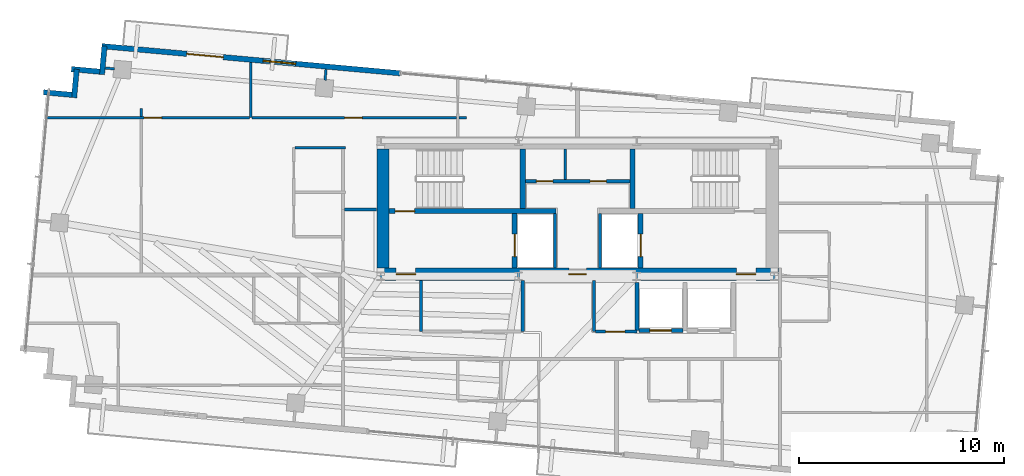
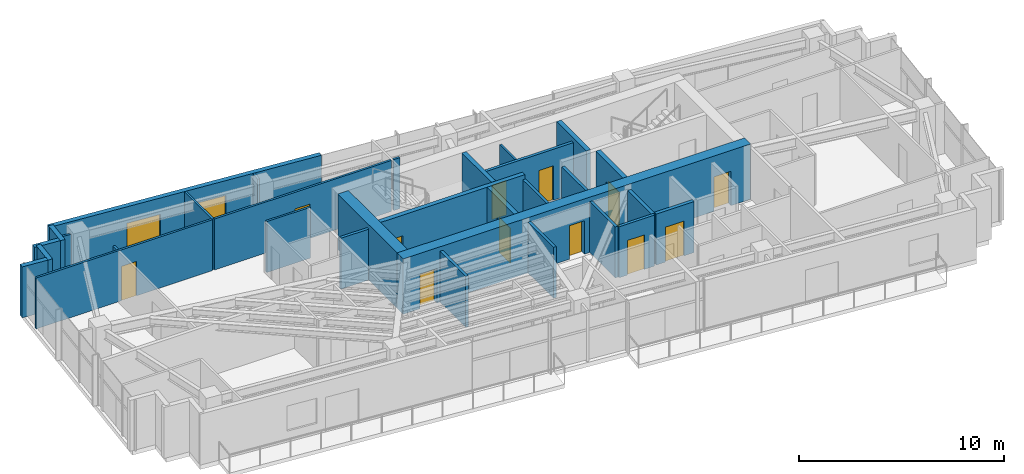
# One storey, part 17 of 22: 31 walls, 13 doors, 1 window, 14 openings.
"""IFC4 building model written with IfcOpenShell, lengths in metres."""

from ifc_helpers import new_model, si_unit, direction, frame, frame_2d, origin, place, context, subcontext, project, spatial, rectangle, extrude, source, transform, mapped, material, layer, layer_set, type_object, type_shapes, element, fill, save


model = new_model("IFC4")

# Units and contexts
model_context = context("Model", 3, precision=1e-05, world=origin(), true_north=direction((0.0, 1.0)))
body_context = subcontext(model_context, "Body", "Model", "MODEL_VIEW")
ifc_project = project(units=[si_unit("LENGTHUNIT", "METRE"), si_unit("AREAUNIT", "SQUARE_METRE"), si_unit("VOLUMEUNIT", "CUBIC_METRE"), si_unit("PLANEANGLEUNIT", "RADIAN"), si_unit("MASSUNIT", "GRAM", prefix="KILO")], contexts=[model_context])

# Site, building, storey
site_placement = place(None, origin())
site = spatial("IfcSite", under=ifc_project, at=site_placement, CompositionType="ELEMENT")
building_placement = place(site_placement, origin())
building = spatial("IfcBuilding", under=site, at=building_placement, Name="Astriad Promenade Condominiums", CompositionType="ELEMENT")
storey_placement = place(building_placement, frame((0.0, 0.0, 223.199951171875)))
storey = spatial("IfcBuildingStorey", under=building, at=storey_placement, Name="L64", CompositionType="ELEMENT", Elevation=223.199951171875)

# Wall, openings, doors
ifc_material_1 = material(Name="Concrete C50/60", Category="concrete")
ifc_layer_1 = layer(ifc_material_1, 0.60009765625)
ifc_layer_set_1 = layer_set([ifc_layer_1], Name="Concrete C50/60")
wall_type_1 = type_object("IfcWallType", Name="CW-SHEAR-600", PredefinedType="SHEAR", material=ifc_layer_set_1)
wall_1_placement = place(storey_placement, frame((26.199951171875, 17.5, 0.0), z_axis=(0.0, 0.0, 1.0), x_axis=(1.0, 0.0, 0.0)))
wall_1 = element("IfcWall", 1, at=wall_1_placement, inside=storey, type_object=wall_type_1, Name="CW-CORE-S-L64", PredefinedType="SHEAR", context=body_context, shape_type="SweptSolid", body=[
    extrude(rectangle(XDim=19.60009765625, YDim=0.60009765625, at=frame_2d((9.800048828125, 0.0))), origin(), (0.0, 0.0, 1.0), 3.300048828125),
])
opening_1_placement = place(wall_1_placement, frame((0.949951171875, 0.0, 0.0)))
opening_1 = element("IfcOpeningElement", 2, at=opening_1_placement, cuts=wall_1, Name="Opening FD90-ST-095", PredefinedType="OPENING", context=body_context, shape_type="SweptSolid", body=[
    extrude(rectangle(XDim=0.949951171875, YDim=2.06005859375, at=frame_2d((0.47509765625, 1.030029296875))), frame((0.0, 0.31005859375, 0.0), z_axis=(0.0, -1.0, 0.0), x_axis=(1.0, 0.0, 0.0)), (0.0, 0.0, 1.0), 0.6201171875),
])
opening_2_placement = place(wall_1_placement, frame((9.3798828125, 0.0, 0.0)))
opening_2 = element("IfcOpeningElement", 3, at=opening_2_placement, cuts=wall_1, Name="Opening FD60-ULOW-085", PredefinedType="OPENING", context=body_context, shape_type="SweptSolid", body=[
    extrude(rectangle(XDim=0.85009765625, YDim=2.0, at=frame_2d((0.425048828125, 1.0))), frame((0.0, 0.31005859375, 0.0), z_axis=(0.0, -1.0, 0.0), x_axis=(1.0, 0.0, 0.0)), (0.0, 0.0, 1.0), 0.6201171875),
])
opening_3_placement = place(wall_1_placement, frame((17.550048828125, 0.0, 0.0)))
opening_3 = element("IfcOpeningElement", 4, at=opening_3_placement, cuts=wall_1, Name="Opening FD90-ST-095", PredefinedType="OPENING", context=body_context, shape_type="SweptSolid", body=[
    extrude(rectangle(XDim=0.949951171875, YDim=2.06005859375, at=frame_2d((0.47509765625, 1.030029296875))), frame((0.0, 0.31005859375, 0.0), z_axis=(0.0, -1.0, 0.0), x_axis=(1.0, 0.0, 0.0)), (0.0, 0.0, 1.0), 0.6201171875),
])
ifc_material_2 = material(Name="Fire-Rated Hollow Metal Stair Door")
door_type_1 = type_object("IfcDoorType", Name="FD90-ST-095", OperationType="NOTDEFINED", PredefinedType="DOOR", material=ifc_material_2)
shared_shape_1 = source(origin(), body_context, "Body", "SweptSolid", [
    extrude(rectangle(XDim=0.949951171875, YDim=2.06005859375, at=frame_2d((0.47509765625, 1.030029296875))), frame((0.0, 0.02490234375, 0.0), z_axis=(0.0, -1.0, 0.0), x_axis=(1.0, 0.0, 0.0)), (0.0, 0.0, 1.0), 0.050048828125),
])
type_shapes(door_type_1, [shared_shape_1])
door_1_placement = place(opening_1_placement, origin())
door_1 = element("IfcDoor", 5, at=door_1_placement, inside=storey, type_object=door_type_1, Name="D-FFW-L64", OperationType="SINGLE_SWING_LEFT", OverallHeight=2.06005859375, OverallWidth=0.949951171875, PredefinedType="DOOR", context=body_context, shape_type="MappedRepresentation", body=[
    mapped(shared_shape_1, transform((0.0, 0.0, 0.0), scale=1.0)),
])
fill(opening_1, door_1)
door_2_placement = place(opening_3_placement, origin())
door_2 = element("IfcDoor", 6, at=door_2_placement, inside=storey, type_object=door_type_1, Name="D-FFE-L64", OperationType="SINGLE_SWING_RIGHT", OverallHeight=2.06005859375, OverallWidth=0.949951171875, PredefinedType="DOOR", context=body_context, shape_type="MappedRepresentation", body=[
    mapped(shared_shape_1, transform((0.0, 0.0, 0.0), scale=1.0)),
])
fill(opening_3, door_2)
ifc_material_3 = material(Name="Solid-Core Low-Headroom Fire Door")
door_type_2 = type_object("IfcDoorType", Name="FD60-ULOW-085", OperationType="NOTDEFINED", PredefinedType="DOOR", material=ifc_material_3)
shared_shape_2 = source(origin(), body_context, "Body", "SweptSolid", [
    extrude(rectangle(XDim=0.85009765625, YDim=2.0, at=frame_2d((0.425048828125, 1.0))), frame((0.0, 0.02490234375, 0.0), z_axis=(0.0, -1.0, 0.0), x_axis=(1.0, 0.0, 0.0)), (0.0, 0.0, 1.0), 0.050048828125),
])
type_shapes(door_type_2, [shared_shape_2])
door_3_placement = place(opening_2_placement, origin())
door_3 = element("IfcDoor", 7, at=door_3_placement, inside=storey, type_object=door_type_2, Name="D-CSL-L64", OperationType="SINGLE_SWING_RIGHT", OverallHeight=2.0, OverallWidth=0.85009765625, PredefinedType="DOOR", context=body_context, shape_type="MappedRepresentation", body=[
    mapped(shared_shape_2, transform((0.0, 0.0, 0.0), scale=1.0)),
])
fill(opening_2, door_3)

# Wall
wall_2_placement = place(storey_placement, frame((26.5, 17.802001953125, 0.0), z_axis=(0.0, 0.0, 1.0), x_axis=(0.0, 1.0, 0.0)))
element("IfcWall", 8, at=wall_2_placement, inside=storey, type_object=wall_type_1, Name="CW-CORE-W-L64", PredefinedType="SHEAR", context=body_context, shape_type="SweptSolid", body=[
    extrude(rectangle(XDim=5.7958984375, YDim=0.60009765625, at=frame_2d((2.89794921875, 0.0))), origin(), (0.0, 0.0, 1.0), 3.300048828125),
])

# Wall, opening, door
ifc_layer_2 = layer(ifc_material_1, 0.25)
ifc_layer_set_2 = layer_set([ifc_layer_2], Name="Concrete C50/60")
wall_type_2 = type_object("IfcWallType", Name="WALL-CORE-INT-250", PredefinedType="SOLIDWALL", material=ifc_layer_set_2)
wall_3_placement = place(storey_placement, frame((26.802001953125, 20.574951171875, 0.0), z_axis=(0.0, 0.0, 1.0), x_axis=(1.0, 0.0, 0.0)))
wall_3 = element("IfcWall", 9, at=wall_3_placement, inside=storey, type_object=wall_type_2, Name="CW-INT-H1-L64", PredefinedType="SOLIDWALL", context=body_context, shape_type="SweptSolid", body=[
    extrude(rectangle(XDim=8.14794921875, YDim=0.25, at=frame_2d((4.073974609375, 0.0))), origin(), (0.0, 0.0, 1.0), 3.300048828125),
])
opening_4_placement = place(wall_3_placement, frame((0.298095703125, 0.0, 0.0)))
opening_4 = element("IfcOpeningElement", 10, at=opening_4_placement, cuts=wall_3, Name="Opening FD90-ST-095", PredefinedType="OPENING", context=body_context, shape_type="SweptSolid", body=[
    extrude(rectangle(XDim=0.949951171875, YDim=2.06005859375, at=frame_2d((0.47509765625, 1.030029296875))), frame((0.0, 0.135009765625, 0.0), z_axis=(0.0, -1.0, 0.0), x_axis=(1.0, 0.0, 0.0)), (0.0, 0.0, 1.0), 0.27001953125),
])
door_4_placement = place(opening_4_placement, origin())
door_4 = element("IfcDoor", 11, at=door_4_placement, inside=storey, type_object=door_type_1, Name="D-ST1-L64", OperationType="SINGLE_SWING_RIGHT", OverallHeight=2.06005859375, OverallWidth=0.949951171875, PredefinedType="DOOR", context=body_context, shape_type="MappedRepresentation", body=[
    mapped(shared_shape_1, transform((0.0, 0.0, 0.0), scale=1.0)),
])
fill(opening_4, door_4)

# Walls
for number, where, z_axis, x_axis, name in (
    (12, (33.324951171875, 20.701904296875, 0.0), (0.0, 0.0, 1.0), (0.0, 1.0, 0.0), "CW-ST1-E-L64"),
    (13, (38.675048828125, 20.701904296875, 0.0), (0.0, 0.0, 1.0), (0.0, 1.0, 0.0), "CW-ST2-W-L64"),
):
    element("IfcWall", number, at=place(storey_placement, frame(where, z_axis=z_axis, x_axis=x_axis)), inside=storey, type_object=wall_type_2, Name=name, PredefinedType="SOLIDWALL", context=body_context, shape_type="SweptSolid", body=[
        extrude(rectangle(XDim=2.89599609375, YDim=0.25, at=frame_2d((1.447998046875, 0.0))), origin(), (0.0, 0.0, 1.0), 3.300048828125),
    ])

# Wall, opening, door
wall_4_placement = place(storey_placement, frame((32.925048828125, 17.802001953125, 0.0), z_axis=(0.0, 0.0, 1.0), x_axis=(0.0, 1.0, 0.0)))
wall_4 = element("IfcWall", 14, at=wall_4_placement, inside=storey, type_object=wall_type_2, Name="CW-FFL1-W-L64", PredefinedType="SOLIDWALL", context=body_context, shape_type="SweptSolid", body=[
    extrude(rectangle(XDim=2.64599609375, YDim=0.25, at=frame_2d((1.322998046875, 0.0))), origin(), (0.0, 0.0, 1.0), 3.300048828125),
])
opening_5_placement = place(wall_4_placement, frame((0.548095703125, 0.0, 0.0)))
opening_5 = element("IfcOpeningElement", 15, at=opening_5_placement, cuts=wall_4, Name="Opening LD-FFL-1122", PredefinedType="OPENING", context=body_context, shape_type="SweptSolid", body=[
    extrude(rectangle(XDim=1.10009765625, YDim=2.080078125, at=frame_2d((0.550048828125, 1.0400390625))), frame((0.0, 0.135009765625, 0.0), z_axis=(0.0, -1.0, 0.0), x_axis=(1.0, 0.0, 0.0)), (0.0, 0.0, 1.0), 0.27001953125),
])
ifc_material_4 = material(Name="Brushed Stainless Steel Fire Elevator Landing Door", Category="steel")
door_type_3 = type_object("IfcDoorType", Name="LD-FFL-1122", OperationType="NOTDEFINED", PredefinedType="DOOR", material=ifc_material_4)
shared_shape_3 = source(origin(), body_context, "Body", "SweptSolid", [
    extrude(rectangle(XDim=1.10009765625, YDim=2.080078125, at=frame_2d((0.550048828125, 1.0400390625))), frame((0.0, 0.02490234375, 0.0), z_axis=(0.0, -1.0, 0.0), x_axis=(1.0, 0.0, 0.0)), (0.0, 0.0, 1.0), 0.050048828125),
])
type_shapes(door_type_3, [shared_shape_3])
door_5_placement = place(opening_5_placement, origin())
door_5 = element("IfcDoor", 16, at=door_5_placement, inside=storey, type_object=door_type_3, Name="Elevator Landing Door FFL-1 (L64)", OperationType="SLIDING_TO_LEFT", OverallHeight=2.080078125, OverallWidth=1.10009765625, PredefinedType="DOOR", context=body_context, shape_type="MappedRepresentation", body=[
    mapped(shared_shape_3, transform((0.0, 0.0, 0.0), scale=1.0)),
])
fill(opening_5, door_5)

wall_5_placement = place(storey_placement, frame((39.074951171875, 17.802001953125, 0.0), z_axis=(0.0, 0.0, 1.0), x_axis=(0.0, 1.0, 0.0)))
wall_5 = element("IfcWall", 17, at=wall_5_placement, inside=storey, type_object=wall_type_2, Name="CW-FFL2-E-L64", PredefinedType="SOLIDWALL", context=body_context, shape_type="SweptSolid", body=[
    extrude(rectangle(XDim=2.64599609375, YDim=0.25, at=frame_2d((1.322998046875, 0.0))), origin(), (0.0, 0.0, 1.0), 3.300048828125),
])
opening_6_placement = place(wall_5_placement, frame((0.548095703125, 0.0, 0.0)))
opening_6 = element("IfcOpeningElement", 18, at=opening_6_placement, cuts=wall_5, Name="Opening LD-FFL-1122", PredefinedType="OPENING", context=body_context, shape_type="SweptSolid", body=[
    extrude(rectangle(XDim=1.10009765625, YDim=2.080078125, at=frame_2d((0.550048828125, 1.0400390625))), frame((0.0, 0.135009765625, 0.0), z_axis=(0.0, -1.0, 0.0), x_axis=(1.0, 0.0, 0.0)), (0.0, 0.0, 1.0), 0.27001953125),
])
door_6_placement = place(opening_6_placement, origin())
door_6 = element("IfcDoor", 19, at=door_6_placement, inside=storey, type_object=door_type_3, Name="Elevator Landing Door FFL-2 (L64)", OperationType="SLIDING_TO_RIGHT", OverallHeight=2.080078125, OverallWidth=1.10009765625, PredefinedType="DOOR", context=body_context, shape_type="MappedRepresentation", body=[
    mapped(shared_shape_3, transform((0.0, 0.0, 0.0), scale=1.0)),
])
fill(opening_6, door_6)

# Walls
ifc_material_5 = material(Name="Fire-Rated Gypsum Partition")
ifc_layer_3 = layer(ifc_material_5, 0.159912109375)
ifc_layer_set_3 = layer_set([ifc_layer_3], Name="Fire-Rated Gypsum Partition")
wall_type_3 = type_object("IfcWallType", Name="WALL-CORR-160", PredefinedType="PARTITIONING", material=ifc_layer_set_3)
for number, where, z_axis, x_axis, name in (
    (20, (34.89990234375, 17.802001953125, 0.0), (0.0, 0.0, 1.0), (0.0, 1.0, 0.0), "CW-FFL1-E-L64"),
    (21, (37.10009765625, 17.802001953125, 0.0), (0.0, 0.0, 1.0), (0.0, 1.0, 0.0), "CW-FFL2-W-L64"),
):
    element("IfcWall", number, at=place(storey_placement, frame(where, z_axis=z_axis, x_axis=x_axis)), inside=storey, type_object=wall_type_3, Name=name, PredefinedType="PARTITIONING", context=body_context, shape_type="SweptSolid", body=[
        extrude(rectangle(XDim=2.64599609375, YDim=0.159912109375, at=frame_2d((1.322998046875, 0.0))), origin(), (0.0, 0.0, 1.0), 3.0400390625),
    ])

# Wall, openings, doors
wall_6_placement = place(storey_placement, frame((33.451904296875, 22.030029296875, 0.0), z_axis=(0.0, 0.0, 1.0), x_axis=(1.0, 0.0, 0.0)))
wall_6 = element("IfcWall", 22, at=wall_6_placement, inside=storey, type_object=wall_type_3, Name="CW-AUX-N-L64", PredefinedType="PARTITIONING", context=body_context, shape_type="SweptSolid", body=[
    extrude(rectangle(XDim=5.09619140625, YDim=0.159912109375, at=frame_2d((2.548095703125, 0.0))), origin(), (0.0, 0.0, 1.0), 3.0400390625),
])
opening_7_placement = place(wall_6_placement, frame((0.5380859375, 0.0, 0.0)))
opening_7 = element("IfcOpeningElement", 23, at=opening_7_placement, cuts=wall_6, Name="Opening FD60-SV-080", PredefinedType="OPENING", context=body_context, shape_type="SweptSolid", body=[
    extrude(rectangle(XDim=0.800048828125, YDim=2.050048828125, at=frame_2d((0.39990234375, 1.02490234375))), frame((0.0, 0.08984375, 0.0), z_axis=(0.0, -1.0, 0.0), x_axis=(1.0, 0.0, 0.0)), (0.0, 0.0, 1.0), 0.179931640625),
])
opening_8_placement = place(wall_6_placement, frame((3.157958984375, 0.0, 0.0)))
opening_8 = element("IfcOpeningElement", 24, at=opening_8_placement, cuts=wall_6, Name="Opening FD60-SV-080", PredefinedType="OPENING", context=body_context, shape_type="SweptSolid", body=[
    extrude(rectangle(XDim=0.800048828125, YDim=2.050048828125, at=frame_2d((0.39990234375, 1.02490234375))), frame((0.0, 0.08984375, 0.0), z_axis=(0.0, -1.0, 0.0), x_axis=(1.0, 0.0, 0.0)), (0.0, 0.0, 1.0), 0.179931640625),
])
ifc_material_6 = material(Name="Fire-Rated Riser Closet Door")
door_type_4 = type_object("IfcDoorType", Name="FD60-SV-080", OperationType="NOTDEFINED", PredefinedType="DOOR", material=ifc_material_6)
shared_shape_4 = source(origin(), body_context, "Body", "SweptSolid", [
    extrude(rectangle(XDim=0.800048828125, YDim=2.050048828125, at=frame_2d((0.39990234375, 1.02490234375))), frame((0.0, 0.02490234375, 0.0), z_axis=(0.0, -1.0, 0.0), x_axis=(1.0, 0.0, 0.0)), (0.0, 0.0, 1.0), 0.050048828125),
])
type_shapes(door_type_4, [shared_shape_4])
door_7_placement = place(opening_7_placement, origin())
door_7 = element("IfcDoor", 25, at=door_7_placement, inside=storey, type_object=door_type_4, Name="D-AUX1-L64", OperationType="SINGLE_SWING_RIGHT", OverallHeight=2.050048828125, OverallWidth=0.800048828125, PredefinedType="DOOR", context=body_context, shape_type="MappedRepresentation", body=[
    mapped(shared_shape_4, transform((0.0, 0.0, 0.0), scale=1.0)),
])
fill(opening_7, door_7)
door_8_placement = place(opening_8_placement, origin())
door_8 = element("IfcDoor", 26, at=door_8_placement, inside=storey, type_object=door_type_4, Name="D-AUX2-L64", OperationType="SINGLE_SWING_LEFT", OverallHeight=2.050048828125, OverallWidth=0.800048828125, PredefinedType="DOOR", context=body_context, shape_type="MappedRepresentation", body=[
    mapped(shared_shape_4, transform((0.0, 0.0, 0.0), scale=1.0)),
])
fill(opening_8, door_8)

# Walls
wall_7_placement = place(storey_placement, frame((24.632080078125, 20.64990234375, 0.0), z_axis=(0.0, 0.0, 1.0), x_axis=(1.0, 0.0, 0.0)))
element("IfcWall", 27, at=wall_7_placement, inside=storey, type_object=wall_type_3, Name="PT-Z3W-N-L64", PredefinedType="PARTITIONING", context=body_context, shape_type="SweptSolid", body=[
    extrude(rectangle(XDim=1.56591796875, YDim=0.159912109375, at=frame_2d((0.782958984375, 0.0))), origin(), (0.0, 0.0, 1.0), 3.0400390625),
])
for number, where, z_axis, x_axis, name in (
    (28, (28.360107421875, 14.699951171875, 0.0), (0.0, 0.0, 1.0), (0.0, 1.0, 0.0), "PT-Z3REC-W-L64"),
    (29, (33.320068359375, 14.699951171875, 0.0), (0.0, 0.0, 1.0), (0.0, 1.0, 0.0), "PT-Z3REC-E-L64"),
    (30, (36.800048828125, 14.699951171875, 0.0), (0.0, 0.0, 1.0), (0.0, 1.0, 0.0), "PT-Z3R2-W-L64"),
):
    element("IfcWall", number, at=place(storey_placement, frame(where, z_axis=z_axis, x_axis=x_axis)), inside=storey, type_object=wall_type_3, Name=name, PredefinedType="PARTITIONING", context=body_context, shape_type="SweptSolid", body=[
        extrude(rectangle(XDim=2.498046875, YDim=0.159912109375, at=frame_2d((1.2490234375, 0.0))), origin(), (0.0, 0.0, 1.0), 3.0400390625),
    ])

# Wall, opening, door
wall_8_placement = place(storey_placement, frame((36.882080078125, 14.699951171875, 0.0), z_axis=(0.0, 0.0, 1.0), x_axis=(1.0, 0.0, 0.0)))
wall_8 = element("IfcWall", 31, at=wall_8_placement, inside=storey, type_object=wall_type_3, Name="PT-Z3R2-S-L64", PredefinedType="PARTITIONING", context=body_context, shape_type="SweptSolid", body=[
    extrude(rectangle(XDim=2.017822265625, YDim=0.159912109375, at=frame_2d((1.0087890625, 0.0))), origin(), (0.0, 0.0, 1.0), 3.0400390625),
])
opening_9_placement = place(wall_8_placement, frame((0.48291015625, 0.0, 0.0)))
opening_9 = element("IfcOpeningElement", 32, at=opening_9_placement, cuts=wall_8, Name="Opening FD60-APT-095", PredefinedType="OPENING", context=body_context, shape_type="SweptSolid", body=[
    extrude(rectangle(XDim=0.949951171875, YDim=2.06005859375, at=frame_2d((0.47509765625, 1.030029296875))), frame((0.0, 0.08984375, 0.0), z_axis=(0.0, -1.0, 0.0), x_axis=(1.0, 0.0, 0.0)), (0.0, 0.0, 1.0), 0.179931640625),
])
ifc_material_7 = material(Name="Solid-Core Acoustic Timber Residence Entry Door", Category="wood")
door_type_5 = type_object("IfcDoorType", Name="FD60-APT-095", OperationType="NOTDEFINED", PredefinedType="DOOR", material=ifc_material_7)
shared_shape_5 = source(origin(), body_context, "Body", "SweptSolid", [
    extrude(rectangle(XDim=0.949951171875, YDim=2.06005859375, at=frame_2d((0.47509765625, 1.030029296875))), frame((0.0, 0.02490234375, 0.0), z_axis=(0.0, -1.0, 0.0), x_axis=(1.0, 0.0, 0.0)), (0.0, 0.0, 1.0), 0.050048828125),
])
type_shapes(door_type_5, [shared_shape_5])
door_9_placement = place(opening_9_placement, origin())
door_9 = element("IfcDoor", 33, at=door_9_placement, inside=storey, type_object=door_type_5, Name="D-Z3N-L64", OperationType="SINGLE_SWING_RIGHT", OverallHeight=2.06005859375, OverallWidth=0.949951171875, PredefinedType="DOOR", context=body_context, shape_type="MappedRepresentation", body=[
    mapped(shared_shape_5, transform((0.0, 0.0, 0.0), scale=1.0)),
])
fill(opening_9, door_9)

# Walls
ifc_material_8 = material(Name="Precast concrete C50/60", Category="concrete")
ifc_layer_4 = layer(ifc_material_8, 0.260009765625)
ifc_layer_set_4 = layer_set([ifc_layer_4], Name="Precast concrete C50/60")
wall_type_4 = type_object("IfcWallType", Name="WALL-EXT-TWR-260", PredefinedType="STANDARD", material=ifc_layer_set_4)
for number, where, z_axis, x_axis, name in (
    (34, (9.93505859375, 26.376708984375, 0.0), (0.0, 0.0, 1.0), (0.995881721538, -0.090661991521, 0.0), "W-SER-L64-04"),
    (35, (11.427001953125, 26.110595703125, 0.0), (0.0, 0.0, 1.0), (0.090835571917, 0.995865904063, 0.0), "W-SER-L64-05"),
):
    element("IfcWall", number, at=place(storey_placement, frame(where, z_axis=z_axis, x_axis=x_axis)), inside=storey, type_object=wall_type_4, Name=name, PredefinedType="STANDARD", context=body_context, shape_type="SweptSolid", body=[
        extrude(rectangle(XDim=1.39501953125, YDim=0.260009765625, at=frame_2d((0.697509765625, 0.0))), origin(), (0.0, 0.0, 1.0), 3.0400390625),
    ])
wall_9_placement = place(storey_placement, frame((11.293212890625, 27.50830078125, 0.0), z_axis=(0.0, 0.0, 1.0), x_axis=(0.995883159782, -0.090646191665, 0.0)))
element("IfcWall", 36, at=wall_9_placement, inside=storey, type_object=wall_type_4, Name="W-SER-L64-06", PredefinedType="STANDARD", context=body_context, shape_type="SweptSolid", body=[
    extrude(rectangle(XDim=1.395263671875, YDim=0.260009765625, at=frame_2d((0.69775390625, 0.0))), origin(), (0.0, 0.0, 1.0), 3.0400390625),
])
wall_10_placement = place(storey_placement, frame((12.785400390625, 27.241943359375, 0.0), z_axis=(0.0, 0.0, 1.0), x_axis=(0.090472632758, 0.995898942023, 0.0)))
element("IfcWall", 37, at=wall_10_placement, inside=storey, type_object=wall_type_4, Name="W-SER-L64-07", PredefinedType="STANDARD", context=body_context, shape_type="SweptSolid", body=[
    extrude(rectangle(XDim=1.39501953125, YDim=0.260009765625, at=frame_2d((0.697509765625, 0.0))), origin(), (0.0, 0.0, 1.0), 3.0400390625),
])

# Wall, openings, door, window
wall_11_placement = place(storey_placement, frame((12.78076171875, 28.628173828125, 0.0), z_axis=(0.0, 0.0, 1.0), x_axis=(0.995884584572, -0.090630536861, 0.0)))
wall_11 = element("IfcWall", 38, at=wall_11_placement, inside=storey, type_object=wall_type_4, Name="W-EXT-L64-N1", PredefinedType="STANDARD", context=body_context, shape_type="SweptSolid", body=[
    extrude(rectangle(XDim=14.630126953125, YDim=0.260009765625, at=frame_2d((7.31494140625, 0.0))), origin(), (0.0, 0.0, 1.0), 3.0400390625),
])
opening_10_placement = place(wall_11_placement, frame((4.158935546875, 0.0, 0.0)))
opening_10 = element("IfcOpeningElement", 39, at=opening_10_placement, cuts=wall_11, Name="Opening BD-1822-SLD", PredefinedType="OPENING", context=body_context, shape_type="SweptSolid", body=[
    extrude(rectangle(XDim=1.800048828125, YDim=2.06005859375, at=frame_2d((0.89990234375, 1.030029296875))), frame((0.0, 0.139892578125, 0.0), z_axis=(0.0, -1.0, 0.0), x_axis=(1.0, 0.0, 0.0)), (0.0, 0.0, 1.0), 0.280029296875),
])
opening_11_placement = place(wall_11_placement, frame((7.89990234375, 0.0, 0.64990234375)))
opening_11 = element("IfcOpeningElement", 40, at=opening_11_placement, cuts=wall_11, Name="Opening WIN-TWR-1620", PredefinedType="OPENING", context=body_context, shape_type="SweptSolid", body=[
    extrude(rectangle(XDim=1.60009765625, YDim=1.5, at=frame_2d((0.800048828125, 0.75))), frame((0.0, 0.139892578125, 0.0), z_axis=(0.0, -1.0, 0.0), x_axis=(1.0, 0.0, 0.0)), (0.0, 0.0, 1.0), 0.280029296875),
])
ifc_material_9 = material(Name="Thermally Broken Aluminium Sliding Balcony Door", Category="aluminium")
door_type_6 = type_object("IfcDoorType", Name="BD-1822-SLD", OperationType="NOTDEFINED", PredefinedType="DOOR", material=ifc_material_9)
shared_shape_6 = source(origin(), body_context, "Body", "SweptSolid", [
    extrude(rectangle(XDim=1.800048828125, YDim=2.06005859375, at=frame_2d((0.89990234375, 1.030029296875))), frame((0.0, 0.02490234375, 0.0), z_axis=(0.0, -1.0, 0.0), x_axis=(1.0, 0.0, 0.0)), (0.0, 0.0, 1.0), 0.050048828125),
])
type_shapes(door_type_6, [shared_shape_6])
door_10_placement = place(opening_10_placement, origin())
door_10 = element("IfcDoor", 41, at=door_10_placement, inside=storey, type_object=door_type_6, Name="BD-L64-NW", OperationType="SLIDING_TO_LEFT", OverallHeight=2.06005859375, OverallWidth=1.800048828125, PredefinedType="DOOR", context=body_context, shape_type="MappedRepresentation", body=[
    mapped(shared_shape_6, transform((0.0, 0.0, 0.0), scale=1.0)),
])
fill(opening_10, door_10)
ifc_material_10 = material(Name="Dark Tinted Triple-Glazed Aluminium Window", Category="aluminium")
window_type = type_object("IfcWindowType", Name="WIN-TWR-1620", PartitioningType="SINGLE_PANEL", PredefinedType="WINDOW", material=ifc_material_10)
shared_shape_7 = source(origin(), body_context, "Body", "SweptSolid", [
    extrude(rectangle(XDim=1.60009765625, YDim=1.5, at=frame_2d((0.800048828125, 0.75))), frame((0.0, 0.030029296875, 0.0), z_axis=(0.0, -1.0, 0.0), x_axis=(1.0, 0.0, 0.0)), (0.0, 0.0, 1.0), 0.06005859375),
])
type_shapes(window_type, [shared_shape_7])
window_placement = place(opening_11_placement, origin())
window = element("IfcWindow", 42, at=window_placement, inside=storey, type_object=window_type, Name="WIN-L64-NW", OverallHeight=1.5, OverallWidth=1.60009765625, PartitioningType="SINGLE_PANEL", PredefinedType="WINDOW", context=body_context, shape_type="MappedRepresentation", body=[
    mapped(shared_shape_7, transform((0.0, 0.0, 0.0), scale=1.0)),
])
fill(opening_11, window)

# Walls
ifc_material_11 = material(Name="Acoustic Metal-Stud Gypsum Partition")
ifc_layer_5 = layer(ifc_material_11, 0.1201171875)
ifc_layer_set_5 = layer_set([ifc_layer_5], Name="Acoustic Metal-Stud Gypsum Partition")
wall_type_5 = type_object("IfcWallType", Name="WALL-PART-120", PredefinedType="PARTITIONING", material=ifc_layer_set_5)
wall_12_placement = place(storey_placement, frame((35.39990234375, 22.112060546875, 0.0), z_axis=(0.0, 0.0, 1.0), x_axis=(0.0, 1.0, 0.0)))
element("IfcWall", 43, at=wall_12_placement, inside=storey, type_object=wall_type_5, Name="CW-AUX-V1-L64", PredefinedType="PARTITIONING", context=body_context, shape_type="SweptSolid", body=[
    extrude(rectangle(XDim=1.48583984375, YDim=0.1201171875, at=frame_2d((0.742919921875, 0.0))), origin(), (0.0, 0.0, 1.0), 3.0400390625),
])
wall_13_placement = place(storey_placement, frame((22.2119140625, 23.669921875, 0.0), z_axis=(0.0, 0.0, 1.0), x_axis=(1.0, 0.0, 0.0)))
element("IfcWall", 44, at=wall_13_placement, inside=storey, type_object=wall_type_5, Name="PT-L64-W2-PN", PredefinedType="PARTITIONING", context=body_context, shape_type="SweptSolid", body=[
    extrude(rectangle(XDim=2.4580078125, YDim=0.1201171875, at=frame_2d((1.22900390625, 0.0))), origin(), (0.0, 0.0, 1.0), 3.0400390625),
])
wall_14_placement = place(storey_placement, frame((20.044921875, 25.14208984375, 0.0), z_axis=(0.0, 0.0, 1.0), x_axis=(0.0, 1.0, 0.0)))
element("IfcWall", 45, at=wall_14_placement, inside=storey, type_object=wall_type_5, Name="PT-L64-W2-B1M", PredefinedType="PARTITIONING", context=body_context, shape_type="SweptSolid", body=[
    extrude(rectangle(XDim=2.6923828125, YDim=0.1201171875, at=frame_2d((1.34619140625, 0.0))), origin(), (0.0, 0.0, 1.0), 3.0400390625),
])

# Wall, opening, door
wall_15_placement = place(storey_placement, frame((10.03369140625, 25.14208984375, 0.0), z_axis=(0.0, 0.0, 1.0), x_axis=(1.0, 0.0, 0.0)))
wall_15 = element("IfcWall", 46, at=wall_15_placement, inside=storey, type_object=wall_type_5, Name="PT-L64-W2-B1", PredefinedType="PARTITIONING", context=body_context, shape_type="SweptSolid", body=[
    extrude(rectangle(XDim=9.94921875, YDim=0.1201171875, at=frame_2d((4.974609375, 0.0))), origin(), (0.0, 0.0, 1.0), 3.0400390625),
])
opening_12_placement = place(wall_15_placement, frame((4.8134765625, 0.0, 0.0)))
opening_12 = element("IfcOpeningElement", 47, at=opening_12_placement, cuts=wall_15, Name="Opening D-INT-085", PredefinedType="OPENING", context=body_context, shape_type="SweptSolid", body=[
    extrude(rectangle(XDim=0.85009765625, YDim=2.050048828125, at=frame_2d((0.425048828125, 1.02490234375))), frame((0.0, 0.070068359375, 0.0), z_axis=(0.0, -1.0, 0.0), x_axis=(1.0, 0.0, 0.0)), (0.0, 0.0, 1.0), 0.14013671875),
])
ifc_material_12 = material(Name="Painted Solid-Core Timber Room Door", Category="wood")
door_type_7 = type_object("IfcDoorType", Name="D-INT-085", OperationType="NOTDEFINED", PredefinedType="DOOR", material=ifc_material_12)
shared_shape_8 = source(origin(), body_context, "Body", "SweptSolid", [
    extrude(rectangle(XDim=0.85009765625, YDim=2.050048828125, at=frame_2d((0.425048828125, 1.02490234375))), frame((0.0, 0.02490234375, 0.0), z_axis=(0.0, -1.0, 0.0), x_axis=(1.0, 0.0, 0.0)), (0.0, 0.0, 1.0), 0.050048828125),
])
type_shapes(door_type_7, [shared_shape_8])
door_11_placement = place(opening_12_placement, origin())
door_11 = element("IfcDoor", 48, at=door_11_placement, inside=storey, type_object=door_type_7, Name="D-BD1-L64-W2", OperationType="SINGLE_SWING_LEFT", OverallHeight=2.050048828125, OverallWidth=0.85009765625, PredefinedType="DOOR", context=body_context, shape_type="MappedRepresentation", body=[
    mapped(shared_shape_8, transform((0.0, 0.0, 0.0), scale=1.0)),
])
fill(opening_12, door_11)

wall_16_placement = place(storey_placement, frame((20.10693359375, 25.14208984375, 0.0), z_axis=(0.0, 0.0, 1.0), x_axis=(1.0, 0.0, 0.0)))
wall_16 = element("IfcWall", 49, at=wall_16_placement, inside=storey, type_object=wall_type_5, Name="PT-L64-W2-B1-S2", PredefinedType="PARTITIONING", context=body_context, shape_type="SweptSolid", body=[
    extrude(rectangle(XDim=9.98095703125, YDim=0.1201171875, at=frame_2d((4.990478515625, 0.0))), origin(), (0.0, 0.0, 1.0), 3.0400390625),
])
opening_13_placement = place(wall_16_placement, frame((4.52587890625, 0.0, 0.0)))
opening_13 = element("IfcOpeningElement", 50, at=opening_13_placement, cuts=wall_16, Name="Opening D-INT-085", PredefinedType="OPENING", context=body_context, shape_type="SweptSolid", body=[
    extrude(rectangle(XDim=0.85009765625, YDim=2.050048828125, at=frame_2d((0.425048828125, 1.02490234375))), frame((0.0, 0.070068359375, 0.0), z_axis=(0.0, -1.0, 0.0), x_axis=(1.0, 0.0, 0.0)), (0.0, 0.0, 1.0), 0.14013671875),
])
door_12_placement = place(opening_13_placement, origin())
door_12 = element("IfcDoor", 51, at=door_12_placement, inside=storey, type_object=door_type_7, Name="D-BD1B-L64-W2", OperationType="SINGLE_SWING_RIGHT", OverallHeight=2.050048828125, OverallWidth=0.85009765625, PredefinedType="DOOR", context=body_context, shape_type="MappedRepresentation", body=[
    mapped(shared_shape_8, transform((0.0, 0.0, 0.0), scale=1.0)),
])
fill(opening_13, door_12)

# Walls
wall_17_placement = place(storey_placement, frame((30.2119140625, 25.14208984375, 0.0), z_axis=(0.0, 0.0, 1.0), x_axis=(1.0, 0.0, 0.0)))
element("IfcWall", 52, at=wall_17_placement, inside=storey, type_object=wall_type_5, Name="PT-L64-W2-B1-S3", PredefinedType="PARTITIONING", context=body_context, shape_type="SweptSolid", body=[
    extrude(rectangle(XDim=0.358154296875, YDim=0.1201171875, at=frame_2d((0.17919921875, 0.0))), origin(), (0.0, 0.0, 1.0), 3.0400390625),
])
wall_18_placement = place(storey_placement, frame((14.7099609375, 25.2041015625, 0.0), z_axis=(0.0, 0.0, 1.0), x_axis=(0.0, 1.0, 0.0)))
element("IfcWall", 53, at=wall_18_placement, inside=storey, type_object=wall_type_5, Name="PT-L64-W2-WDV1-S2", PredefinedType="PARTITIONING", context=body_context, shape_type="SweptSolid", body=[
    extrude(rectangle(XDim=0.3779296875, YDim=0.1201171875, at=frame_2d((0.18896484375, 0.0))), origin(), (0.0, 0.0, 1.0), 3.0400390625),
])
wall_19_placement = place(storey_placement, frame((13.40283203125, 27.51708984375, 0.0), z_axis=(0.0, 0.0, 1.0), x_axis=(-0.995884462012, 0.090631883588, 0.0)))
element("IfcWall", 54, at=wall_19_placement, inside=storey, type_object=wall_type_5, Name="PT-PIL-L64-PC06-13", PredefinedType="PARTITIONING", context=body_context, shape_type="SweptSolid", body=[
    extrude(rectangle(XDim=0.4580078125, YDim=0.1201171875, at=frame_2d((0.22900390625, 0.0))), origin(), (0.0, 0.0, 1.0), 3.0400390625),
])
wall_20_placement = place(storey_placement, frame((23.6748046875, 26.9638671875, 0.0), z_axis=(0.0, 0.0, 1.0), x_axis=(0.090740281653, 0.995874591144, 0.0)))
element("IfcWall", 55, at=wall_20_placement, inside=storey, type_object=wall_type_5, Name="PT-PIL-L64-PC07-14", PredefinedType="PARTITIONING", context=body_context, shape_type="SweptSolid", body=[
    extrude(rectangle(XDim=0.5380859375, YDim=0.1201171875, at=frame_2d((0.26904296875, 0.0))), origin(), (0.0, 0.0, 1.0), 3.0400390625),
])
ifc_material_13 = material(Name="Gypsum Shaftliner Assembly")
ifc_layer_6 = layer(ifc_material_13, 0.199951171875)
ifc_layer_set_6 = layer_set([ifc_layer_6], Name="Gypsum Shaftliner Assembly")
wall_type_6 = type_object("IfcWallType", Name="WALL-SHAFT-200", PredefinedType="PARTITIONING", material=ifc_layer_set_6)
wall_21_placement = place(storey_placement, frame((38.89990234375, 14.75, 0.0), z_axis=(0.0, 0.0, 1.0), x_axis=(0.0, 1.0, 0.0)))
element("IfcWall", 56, at=wall_21_placement, inside=storey, type_object=wall_type_6, Name="PL-MH-DIV-L64", PredefinedType="PARTITIONING", context=body_context, shape_type="SweptSolid", body=[
    extrude(rectangle(XDim=2.35009765625, YDim=0.199951171875, at=frame_2d((1.175048828125, 0.0))), origin(), (0.0, 0.0, 1.0), 3.0400390625),
])

# Wall, opening, door
wall_22_placement = place(storey_placement, frame((39.001953125, 14.75, 0.0), z_axis=(0.0, 0.0, 1.0), x_axis=(1.0, 0.0, 0.0)))
wall_22 = element("IfcWall", 57, at=wall_22_placement, inside=storey, type_object=wall_type_6, Name="PL-H-FRT-L64", PredefinedType="PARTITIONING", context=body_context, shape_type="SweptSolid", body=[
    extrude(rectangle(XDim=2.14599609375, YDim=0.199951171875, at=frame_2d((1.072998046875, 0.0))), origin(), (0.0, 0.0, 1.0), 3.0400390625),
])
opening_14_placement = place(wall_22_placement, frame((0.52294921875, 0.0, 0.0)))
opening_14 = element("IfcOpeningElement", 58, at=opening_14_placement, cuts=wall_22, Name="Opening LD-PL-10522", PredefinedType="OPENING", context=body_context, shape_type="SweptSolid", body=[
    extrude(rectangle(XDim=1.050048828125, YDim=2.080078125, at=frame_2d((0.52490234375, 1.0400390625))), frame((0.0, 0.10986328125, 0.0), z_axis=(0.0, -1.0, 0.0), x_axis=(1.0, 0.0, 0.0)), (0.0, 0.0, 1.0), 0.219970703125),
])
ifc_material_14 = material(Name="Brushed Bronze Passenger Elevator Landing Door")
door_type_8 = type_object("IfcDoorType", Name="LD-PL-10522", OperationType="NOTDEFINED", PredefinedType="DOOR", material=ifc_material_14)
shared_shape_9 = source(origin(), body_context, "Body", "SweptSolid", [
    extrude(rectangle(XDim=1.050048828125, YDim=2.080078125, at=frame_2d((0.52490234375, 1.0400390625))), frame((0.0, 0.02490234375, 0.0), z_axis=(0.0, -1.0, 0.0), x_axis=(1.0, 0.0, 0.0)), (0.0, 0.0, 1.0), 0.050048828125),
])
type_shapes(door_type_8, [shared_shape_9])
door_13_placement = place(opening_14_placement, origin())
door_13 = element("IfcDoor", 59, at=door_13_placement, inside=storey, type_object=door_type_8, Name="Elevator Landing Door PL-H1 (L64)", OperationType="SLIDING_TO_LEFT", OverallHeight=2.080078125, OverallWidth=1.050048828125, PredefinedType="DOOR", context=body_context, shape_type="MappedRepresentation", body=[
    mapped(shared_shape_9, transform((0.0, 0.0, 0.0), scale=1.0)),
])
fill(opening_14, door_13)

save(model, "model.ifc")
